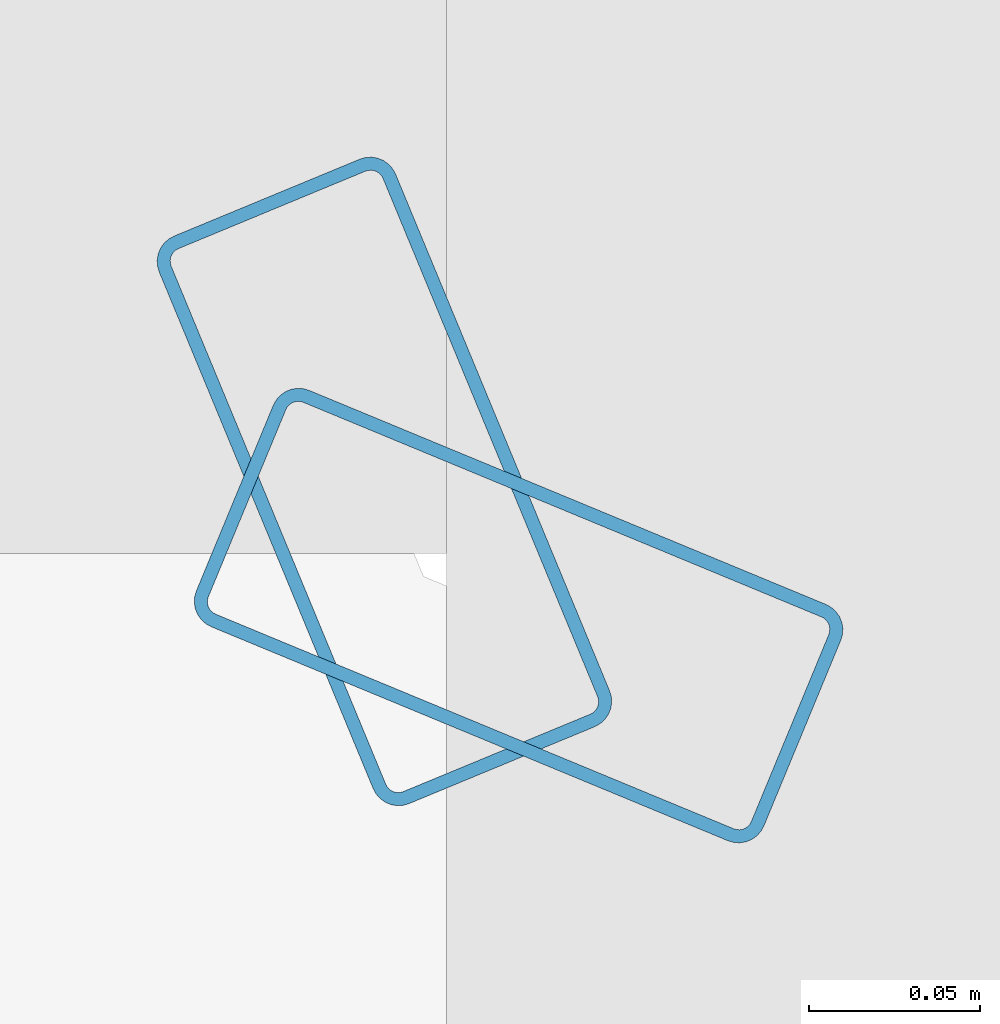
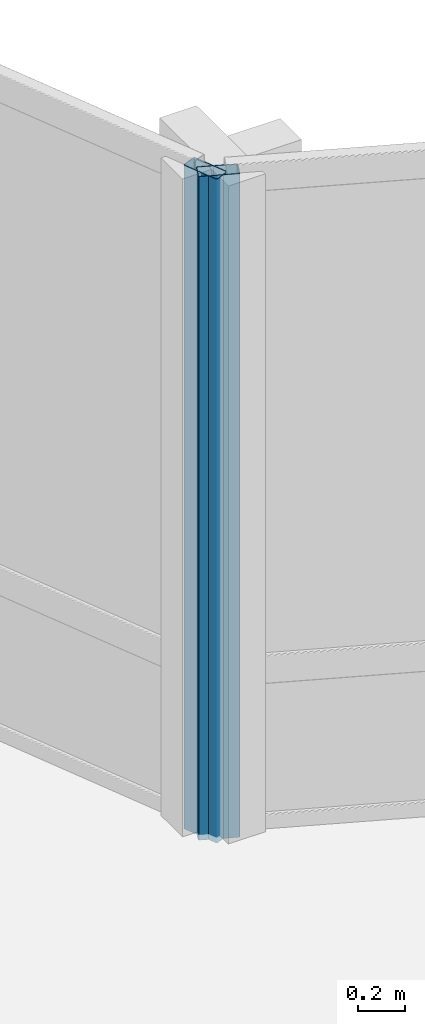
# One storey, part 8 of 28: 2 members, 2 elements without a shape of their own.
"""IFC4 building model written with IfcOpenShell, lengths in metres."""

from ifc_helpers import new_model, si_unit, direction, frame, origin, origin_2d, place, context, subcontext, project, spatial, hollow_rectangle, extrude, material, layer, layer_set, material_profile, profile_set, type_object, element, aggregate, save


model = new_model("IFC4")

# Units and contexts
model_context = context("Model", 3, precision=1e-05, world=origin(), true_north=direction((0.0, 1.0)))
body_context = subcontext(model_context, "Body", "Model", "MODEL_VIEW")
ifc_project = project(units=[si_unit("LENGTHUNIT", "METRE"), si_unit("AREAUNIT", "SQUARE_METRE"), si_unit("VOLUMEUNIT", "CUBIC_METRE"), si_unit("PLANEANGLEUNIT", "RADIAN"), si_unit("MASSUNIT", "GRAM", prefix="KILO")], contexts=[model_context])

# Site, building, storey
site_placement = place(None, origin())
site = spatial("IfcSite", under=ifc_project, at=site_placement, CompositionType="ELEMENT")
building_placement = place(site_placement, origin())
building = spatial("IfcBuilding", under=site, at=building_placement, Name="Solvaryn Broadcast Tower", CompositionType="ELEMENT")
storey_placement = place(building_placement, frame((0.0, 0.0, 217.300048828125)))
storey = spatial("IfcBuildingStorey", under=building, at=storey_placement, Name="L54", CompositionType="ELEMENT", Elevation=217.300048828125)

# Curtain wall, member
ifc_material_1 = material(Name="Aluminium and Terracotta Unitised Curtain Wall", Category="masonry")
ifc_layer = layer(ifc_material_1, 0.199951171875)
ifc_layer_set = layer_set([ifc_layer], Name="CW-SYS2-LOWMID")
curtain_wall_type = type_object("IfcCurtainWallType", Name="CW-SYS2-LOWMID", PredefinedType="NOTDEFINED", material=ifc_layer_set)
curtain_wall_1_placement = place(storey_placement, origin())
curtain_wall_1 = element("IfcCurtainWall", 1, at=curtain_wall_1_placement, inside=storey, type_object=curtain_wall_type, Name="L54 Curtain Wall CN1", PredefinedType="NOTDEFINED")
ifc_material_2 = material(Name="Anodised Aluminium 6063-T6", Category="aluminium")
ifc_material_profile = material_profile(ifc_material_2, hollow_rectangle(XDim=0.074951171875, YDim=0.179931640625, WallThickness=0.00390625, InnerFilletRadius=0.00390625, OuterFilletRadius=0.008056640625, at=origin_2d()))
ifc_profile_set = profile_set([ifc_material_profile], Name="Anodised Aluminium 6063-T6")
member_type = type_object("IfcMemberType", Name="CW-MUL-180", PredefinedType="MULLION", material=ifc_profile_set)
member_1_placement = place(storey_placement, frame((30.395751953125, 30.3564453125, 0.0), z_axis=(0.0, 0.0, 1.0), x_axis=(-0.382646127145, -0.923894983957, 0.0)))
member_1 = element("IfcMember", 2, at=member_1_placement, type_object=member_type, Name="CWS2 mullion 2", PredefinedType="MULLION", context=body_context, shape_type="SweptSolid", body=[
    extrude(hollow_rectangle(XDim=0.074951171875, YDim=0.179931640625, WallThickness=0.00390625, InnerFilletRadius=0.00390625, OuterFilletRadius=0.008056640625, at=origin_2d()), origin(), (0.0, 0.0, 1.0), 3.419921875),
])
aggregate(curtain_wall_1, [member_1])

curtain_wall_2_placement = place(storey_placement, origin())
curtain_wall_2 = element("IfcCurtainWall", 3, at=curtain_wall_2_placement, inside=storey, type_object=curtain_wall_type, Name="L54 Curtain Wall CN2", PredefinedType="NOTDEFINED")
member_2_placement = place(storey_placement, frame((30.3564453125, 30.395751953125, 0.0), z_axis=(0.0, 0.0, 1.0), x_axis=(-0.923894983957, -0.382646127145, 0.0)))
member_2 = element("IfcMember", 4, at=member_2_placement, type_object=member_type, Name="CWS2 mullion 1", PredefinedType="MULLION", context=body_context, shape_type="SweptSolid", body=[
    extrude(hollow_rectangle(XDim=0.074951171875, YDim=0.179931640625, WallThickness=0.00390625, InnerFilletRadius=0.00390625, OuterFilletRadius=0.008056640625, at=origin_2d()), origin(), (0.0, 0.0, 1.0), 3.419921875),
])
aggregate(curtain_wall_2, [member_2])

save(model, "model.ifc")
